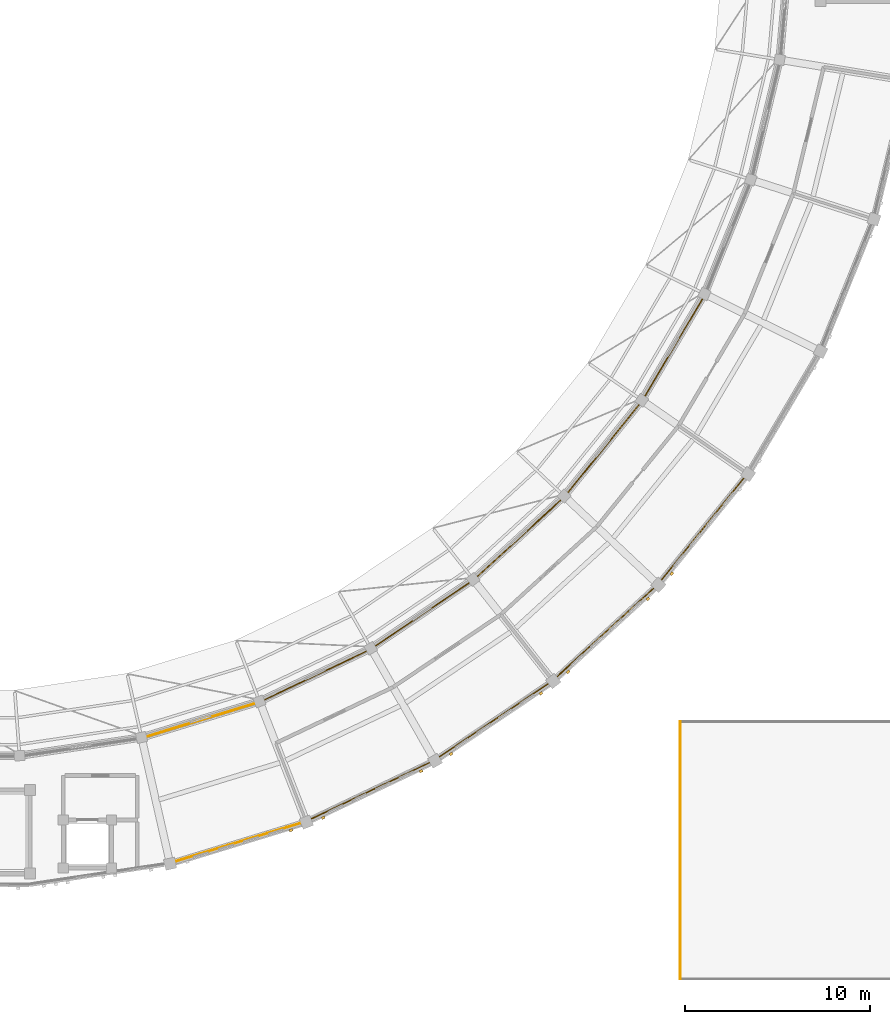
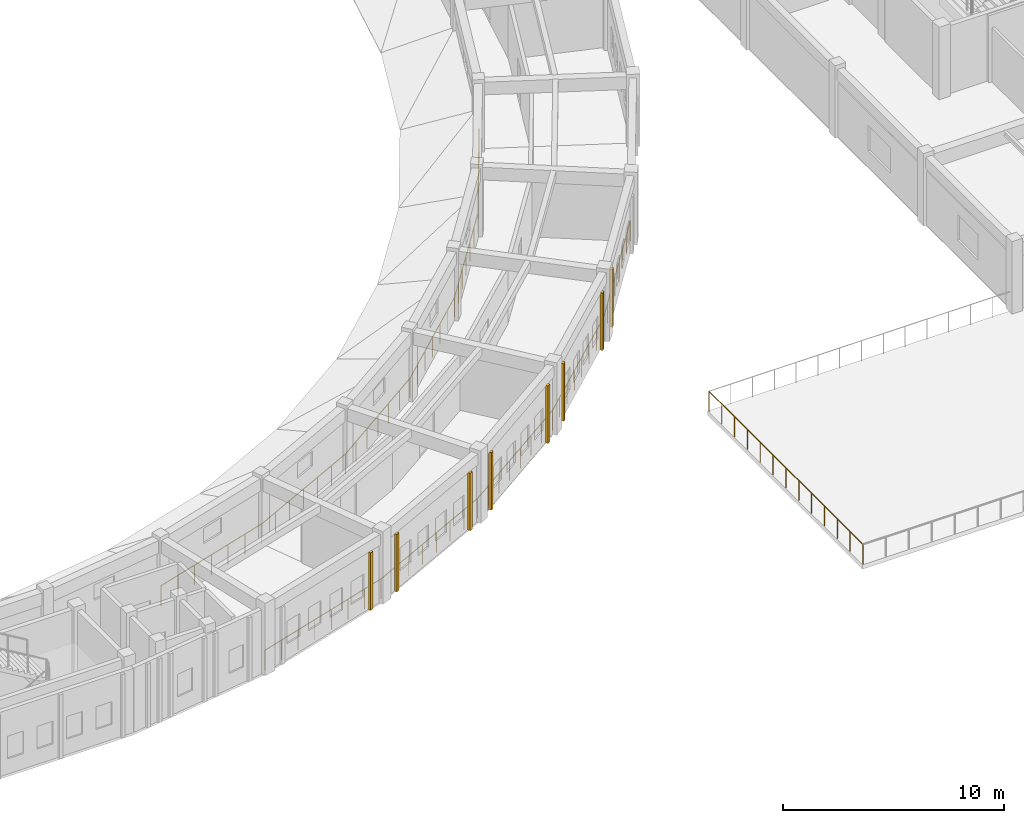
# One storey, part 101 of 112: 12 railings, 8 coverings.
"""IFC4 building model written with IfcOpenShell, lengths in metres."""

from ifc_helpers import new_model, si_unit, direction, frame, origin, origin_2d, place, context, subcontext, project, spatial, rectangle, circle, extrude, material, layer, layer_set, type_object, element, save


model = new_model("IFC4")

# Units and contexts
model_context = context("Model", 3, precision=1e-05, world=origin(), true_north=direction((0.0, 1.0)))
body_context = subcontext(model_context, "Body", "Model", "MODEL_VIEW")
ifc_project = project(units=[si_unit("LENGTHUNIT", "METRE"), si_unit("AREAUNIT", "SQUARE_METRE"), si_unit("VOLUMEUNIT", "CUBIC_METRE"), si_unit("PLANEANGLEUNIT", "RADIAN"), si_unit("MASSUNIT", "GRAM", prefix="KILO")], contexts=[model_context])

# Site, building, storey
site_placement = place(None, origin())
site = spatial("IfcSite", under=ifc_project, at=site_placement, CompositionType="ELEMENT")
building_placement = place(site_placement, origin())
building = spatial("IfcBuilding", under=site, at=building_placement, Name="Celadon Cloister-Ring School", CompositionType="ELEMENT")
storey_placement = place(building_placement, frame((0.0, 0.0, 8.5)))
storey = spatial("IfcBuildingStorey", under=building, at=storey_placement, Name="L02", CompositionType="ELEMENT", Elevation=8.5)

# Coverings
ifc_material_1 = material(Name="Perforated terracotta clay brick masonry", Category="masonry")
ifc_layer = layer(ifc_material_1, 0.139892578125)
ifc_layer_set = layer_set([ifc_layer], Name="Perforated terracotta clay brick masonry")
covering_type = type_object("IfcCoveringType", Name="CV-SC1", PredefinedType="CLADDING", material=ifc_layer_set)
for number, where, z_axis, x_axis, name in (
    (1, (105.00390625, 10.092041015625, 0.0), (0.0, 0.0, 1.0), (-0.956371068383, -0.292154718533, 0.0), "Brick Screen Rib 0283"),
    (2, (112.031982421875, 13.2880859375, 0.0), (0.0, 0.0, 1.0), (-0.902682940986, -0.430306295624, 0.0), "Brick Screen Rib 0285"),
    (3, (106.7509765625, 10.77099609375, 0.0), (0.0, 0.0, 1.0), (-0.902682940986, -0.430306295624, 0.0), "Brick Screen Rib 0286"),
    (4, (118.510009765625, 17.488037109375, 0.0), (0.0, 0.0, 1.0), (-0.829213207273, -0.558932426045, 0.0), "Brick Screen Rib 0287"),
    (5, (113.658935546875, 14.218017578125, 0.0), (0.0, 0.0, 1.0), (-0.829213207273, -0.558932426045, 0.0), "Brick Screen Rib 0288"),
    (6, (124.298095703125, 22.59912109375, 0.0), (0.0, 0.0, 1.0), (-0.73754847669, -0.675294191099, 0.0), "Brick Screen Rib 0289"),
    (7, (119.98291015625, 18.64892578125, 0.0), (0.0, 0.0, 1.0), (-0.73754847669, -0.675294191099, 0.0), "Brick Screen Rib 0290"),
    (8, (125.5830078125, 23.965087890625, 0.0), (0.0, 0.0, 1.0), (-0.629605187645, -0.776915251292, 0.0), "Brick Screen Rib 0292"),
):
    element("IfcCovering", number, at=place(storey_placement, frame(where, z_axis=z_axis, x_axis=x_axis)), inside=storey, type_object=covering_type, Name=name, PredefinedType="CLADDING", context=body_context, shape_type="SweptSolid", body=[
        extrude(rectangle(XDim=0.179931640625, YDim=0.139892578125, at=origin_2d()), origin(), (0.0, 0.0, 1.0), 3.172119140625),
    ])

# Railings
ifc_material_2 = material(Name="Structural steel S355JR", Category="steel")
railing_type = type_object("IfcRailingType", Name="RL-BL1", PredefinedType="BALUSTRADE", material=ifc_material_2)
railing_1_placement = place(storey_placement, frame((98.4619140625, 8.320068359375, 0.0)))
element("IfcRailing", 9, at=railing_1_placement, inside=storey, type_object=railing_type, Name="Terrace Balustrade 0092", PredefinedType="BALUSTRADE", context=body_context, shape_type="SweptSolid", body=[
    extrude(circle(Radius=0.02392578125, at=origin_2d()), frame((0.0, 0.0, 1.09619140625), z_axis=(0.95633408974, 0.29227574104, 0.0), x_axis=(-0.29227574104, 0.95633408974, 0.0)), (0.0, 0.0, 1.0), 7.6982421875),
    extrude(circle(Radius=0.02099609375, at=origin_2d()), origin(), (0.0, 0.0, 1.0), 1.072021484375),
    extrude(circle(Radius=0.02099609375, at=origin_2d()), frame((1.0517578125, 0.321533203125, 0.0)), (0.0, 0.0, 1.0), 1.072021484375),
    extrude(circle(Radius=0.02099609375, at=origin_2d()), frame((2.103515625, 0.642822265625, 0.0)), (0.0, 0.0, 1.0), 1.072021484375),
    extrude(circle(Radius=0.02099609375, at=origin_2d()), frame((3.1552734375, 0.96435546875, 0.0)), (0.0, 0.0, 1.0), 1.072021484375),
    extrude(circle(Radius=0.02099609375, at=origin_2d()), frame((4.206787109375, 1.28564453125, 0.0)), (0.0, 0.0, 1.0), 1.072021484375),
    extrude(circle(Radius=0.02099609375, at=origin_2d()), frame((5.258544921875, 1.607177734375, 0.0)), (0.0, 0.0, 1.0), 1.072021484375),
    extrude(circle(Radius=0.02099609375, at=origin_2d()), frame((6.310302734375, 1.928466796875, 0.0)), (0.0, 0.0, 1.0), 1.072021484375),
    extrude(circle(Radius=0.02099609375, at=origin_2d()), frame((7.362060546875, 2.25, 0.0)), (0.0, 0.0, 1.0), 1.072021484375),
])
railing_2_placement = place(storey_placement, frame((105.823974609375, 10.570068359375, 0.0)))
element("IfcRailing", 10, at=railing_2_placement, inside=storey, type_object=railing_type, Name="Terrace Balustrade 0093", PredefinedType="BALUSTRADE", context=body_context, shape_type="SweptSolid", body=[
    extrude(circle(Radius=0.02392578125, at=origin_2d()), frame((0.0, 0.0, 1.09619140625), z_axis=(0.902686900331, 0.430297989736, 0.0), x_axis=(-0.430297989736, 0.902686900331, 0.0)), (0.0, 0.0, 1.0), 7.697021484375),
    extrude(circle(Radius=0.02099609375, at=origin_2d()), origin(), (0.0, 0.0, 1.0), 1.072021484375),
    extrude(circle(Radius=0.02099609375, at=origin_2d()), frame((0.99267578125, 0.47314453125, 0.0)), (0.0, 0.0, 1.0), 1.072021484375),
    extrude(circle(Radius=0.02099609375, at=origin_2d()), frame((1.985107421875, 0.9462890625, 0.0)), (0.0, 0.0, 1.0), 1.072021484375),
    extrude(circle(Radius=0.02099609375, at=origin_2d()), frame((2.977783203125, 1.41943359375, 0.0)), (0.0, 0.0, 1.0), 1.072021484375),
    extrude(circle(Radius=0.02099609375, at=origin_2d()), frame((3.97021484375, 1.892578125, 0.0)), (0.0, 0.0, 1.0), 1.072021484375),
    extrude(circle(Radius=0.02099609375, at=origin_2d()), frame((4.962890625, 2.36572265625, 0.0)), (0.0, 0.0, 1.0), 1.072021484375),
    extrude(circle(Radius=0.02099609375, at=origin_2d()), frame((5.955322265625, 2.8388671875, 0.0)), (0.0, 0.0, 1.0), 1.072021484375),
    extrude(circle(Radius=0.02099609375, at=origin_2d()), frame((6.947998046875, 3.31201171875, 0.0)), (0.0, 0.0, 1.0), 1.072021484375),
])
railing_3_placement = place(storey_placement, frame((112.77197265625, 13.882080078125, 0.0)))
element("IfcRailing", 11, at=railing_3_placement, inside=storey, type_object=railing_type, Name="Terrace Balustrade 0094", PredefinedType="BALUSTRADE", context=body_context, shape_type="SweptSolid", body=[
    extrude(circle(Radius=0.02392578125, at=origin_2d()), frame((0.0, 0.0, 1.09619140625), z_axis=(0.829184941382, 0.558974358075, 0.0), x_axis=(-0.558974358075, 0.829184941382, 0.0)), (0.0, 0.0, 1.0), 7.697998046875),
    extrude(circle(Radius=0.02099609375, at=origin_2d()), origin(), (0.0, 0.0, 1.0), 1.072021484375),
    extrude(circle(Radius=0.02099609375, at=origin_2d()), frame((0.911865234375, 0.61474609375, 0.0)), (0.0, 0.0, 1.0), 1.072021484375),
    extrude(circle(Radius=0.02099609375, at=origin_2d()), frame((1.82373046875, 1.2294921875, 0.0)), (0.0, 0.0, 1.0), 1.072021484375),
    extrude(circle(Radius=0.02099609375, at=origin_2d()), frame((2.735595703125, 1.84423828125, 0.0)), (0.0, 0.0, 1.0), 1.072021484375),
    extrude(circle(Radius=0.02099609375, at=origin_2d()), frame((3.6474609375, 2.458740234375, 0.0)), (0.0, 0.0, 1.0), 1.072021484375),
    extrude(circle(Radius=0.02099609375, at=origin_2d()), frame((4.559326171875, 3.073486328125, 0.0)), (0.0, 0.0, 1.0), 1.072021484375),
    extrude(circle(Radius=0.02099609375, at=origin_2d()), frame((5.47119140625, 3.688232421875, 0.0)), (0.0, 0.0, 1.0), 1.072021484375),
    extrude(circle(Radius=0.02099609375, at=origin_2d()), frame((6.383056640625, 4.302978515625, 0.0)), (0.0, 0.0, 1.0), 1.072021484375),
])
railing_4_placement = place(storey_placement, frame((119.155029296875, 18.18505859375, 0.0)))
element("IfcRailing", 12, at=railing_4_placement, inside=storey, type_object=railing_type, Name="Terrace Balustrade 0095", PredefinedType="BALUSTRADE", context=body_context, shape_type="SweptSolid", body=[
    extrude(circle(Radius=0.02392578125, at=origin_2d()), frame((0.0, 0.0, 1.09619140625), z_axis=(0.737537150433, 0.675306561298, 0.0), x_axis=(-0.675306561298, 0.737537150433, 0.0)), (0.0, 0.0, 1.0), 7.697265625),
    extrude(circle(Radius=0.02099609375, at=origin_2d()), origin(), (0.0, 0.0, 1.0), 1.072021484375),
    extrude(circle(Radius=0.02099609375, at=origin_2d()), frame((0.81103515625, 0.74267578125, 0.0)), (0.0, 0.0, 1.0), 1.072021484375),
    extrude(circle(Radius=0.02099609375, at=origin_2d()), frame((1.6220703125, 1.485107421875, 0.0)), (0.0, 0.0, 1.0), 1.072021484375),
    extrude(circle(Radius=0.02099609375, at=origin_2d()), frame((2.43310546875, 2.227783203125, 0.0)), (0.0, 0.0, 1.0), 1.072021484375),
    extrude(circle(Radius=0.02099609375, at=origin_2d()), frame((3.243896484375, 2.97021484375, 0.0)), (0.0, 0.0, 1.0), 1.072021484375),
    extrude(circle(Radius=0.02099609375, at=origin_2d()), frame((4.054931640625, 3.712890625, 0.0)), (0.0, 0.0, 1.0), 1.072021484375),
    extrude(circle(Radius=0.02099609375, at=origin_2d()), frame((4.865966796875, 4.455322265625, 0.0)), (0.0, 0.0, 1.0), 1.072021484375),
    extrude(circle(Radius=0.02099609375, at=origin_2d()), frame((5.677001953125, 5.197998046875, 0.0)), (0.0, 0.0, 1.0), 1.072021484375),
])
railing_5_placement = place(storey_placement, frame((124.83203125, 23.383056640625, 0.0)))
element("IfcRailing", 13, at=railing_5_placement, inside=storey, type_object=railing_type, Name="Terrace Balustrade 0096", PredefinedType="BALUSTRADE", context=body_context, shape_type="SweptSolid", body=[
    extrude(circle(Radius=0.02392578125, at=origin_2d()), frame((0.0, 0.0, 1.09619140625), z_axis=(0.629605941512, 0.776914640365, 0.0), x_axis=(-0.776914640365, 0.629605941512, 0.0)), (0.0, 0.0, 1.0), 7.6982421875),
    extrude(circle(Radius=0.02099609375, at=origin_2d()), origin(), (0.0, 0.0, 1.0), 1.072021484375),
    extrude(circle(Radius=0.02099609375, at=origin_2d()), frame((0.6923828125, 0.8544921875, 0.0)), (0.0, 0.0, 1.0), 1.072021484375),
    extrude(circle(Radius=0.02099609375, at=origin_2d()), frame((1.384765625, 1.708740234375, 0.0)), (0.0, 0.0, 1.0), 1.072021484375),
    extrude(circle(Radius=0.02099609375, at=origin_2d()), frame((2.0771484375, 2.563232421875, 0.0)), (0.0, 0.0, 1.0), 1.072021484375),
    extrude(circle(Radius=0.02099609375, at=origin_2d()), frame((2.769775390625, 3.417724609375, 0.0)), (0.0, 0.0, 1.0), 1.072021484375),
    extrude(circle(Radius=0.02099609375, at=origin_2d()), frame((3.462158203125, 4.272216796875, 0.0)), (0.0, 0.0, 1.0), 1.072021484375),
    extrude(circle(Radius=0.02099609375, at=origin_2d()), frame((4.154541015625, 5.12646484375, 0.0)), (0.0, 0.0, 1.0), 1.072021484375),
    extrude(circle(Radius=0.02099609375, at=origin_2d()), frame((4.846923828125, 5.98095703125, 0.0)), (0.0, 0.0, 1.0), 1.072021484375),
])
railing_6_placement = place(storey_placement, frame((96.93603515625, 15.070068359375, 0.0)))
element("IfcRailing", 14, at=railing_6_placement, inside=storey, type_object=railing_type, Name="Terrace Balustrade 0127", PredefinedType="BALUSTRADE", context=body_context, shape_type="SweptSolid", body=[
    extrude(circle(Radius=0.02392578125, at=origin_2d()), frame((0.0, 0.0, 1.09619140625), z_axis=(0.956341344622, 0.292252001817, 0.0), x_axis=(-0.292252001817, 0.956341344622, 0.0)), (0.0, 0.0, 1.0), 6.672119140625),
    extrude(circle(Radius=0.02099609375, at=origin_2d()), origin(), (0.0, 0.0, 1.0), 1.072021484375),
    extrude(circle(Radius=0.02099609375, at=origin_2d()), frame((1.0634765625, 0.324951171875, 0.0)), (0.0, 0.0, 1.0), 1.072021484375),
    extrude(circle(Radius=0.02099609375, at=origin_2d()), frame((2.126953125, 0.64990234375, 0.0)), (0.0, 0.0, 1.0), 1.072021484375),
    extrude(circle(Radius=0.02099609375, at=origin_2d()), frame((3.1904296875, 0.97509765625, 0.0)), (0.0, 0.0, 1.0), 1.072021484375),
    extrude(circle(Radius=0.02099609375, at=origin_2d()), frame((4.25390625, 1.300048828125, 0.0)), (0.0, 0.0, 1.0), 1.072021484375),
    extrude(circle(Radius=0.02099609375, at=origin_2d()), frame((5.3173828125, 1.625, 0.0)), (0.0, 0.0, 1.0), 1.072021484375),
    extrude(circle(Radius=0.02099609375, at=origin_2d()), frame((6.380859375, 1.949951171875, 0.0)), (0.0, 0.0, 1.0), 1.072021484375),
])
railing_7_placement = place(storey_placement, frame((103.31689453125, 17.02001953125, 0.0)))
element("IfcRailing", 15, at=railing_7_placement, inside=storey, type_object=railing_type, Name="Terrace Balustrade 0128", PredefinedType="BALUSTRADE", context=body_context, shape_type="SweptSolid", body=[
    extrude(circle(Radius=0.02392578125, at=origin_2d()), frame((0.0, 0.0, 1.09619140625), z_axis=(0.90269136782, 0.430288617631, 0.0), x_axis=(-0.430288617631, 0.90269136782, 0.0)), (0.0, 0.0, 1.0), 6.67236328125),
    extrude(circle(Radius=0.02099609375, at=origin_2d()), origin(), (0.0, 0.0, 1.0), 1.072021484375),
    extrude(circle(Radius=0.02099609375, at=origin_2d()), frame((1.00390625, 0.478515625, 0.0)), (0.0, 0.0, 1.0), 1.072021484375),
    extrude(circle(Radius=0.02099609375, at=origin_2d()), frame((2.0078125, 0.95703125, 0.0)), (0.0, 0.0, 1.0), 1.072021484375),
    extrude(circle(Radius=0.02099609375, at=origin_2d()), frame((3.01171875, 1.435546875, 0.0)), (0.0, 0.0, 1.0), 1.072021484375),
    extrude(circle(Radius=0.02099609375, at=origin_2d()), frame((4.015380859375, 1.9140625, 0.0)), (0.0, 0.0, 1.0), 1.072021484375),
    extrude(circle(Radius=0.02099609375, at=origin_2d()), frame((5.019287109375, 2.392578125, 0.0)), (0.0, 0.0, 1.0), 1.072021484375),
    extrude(circle(Radius=0.02099609375, at=origin_2d()), frame((6.023193359375, 2.87109375, 0.0)), (0.0, 0.0, 1.0), 1.072021484375),
])
railing_8_placement = place(storey_placement, frame((109.340087890625, 19.89111328125, 0.0)))
element("IfcRailing", 16, at=railing_8_placement, inside=storey, type_object=railing_type, Name="Terrace Balustrade 0129", PredefinedType="BALUSTRADE", context=body_context, shape_type="SweptSolid", body=[
    extrude(circle(Radius=0.02392578125, at=origin_2d()), frame((0.0, 0.0, 1.09619140625), z_axis=(0.829179794599, 0.558981992759, 0.0), x_axis=(-0.558981992759, 0.829179794599, 0.0)), (0.0, 0.0, 1.0), 6.6728515625),
    extrude(circle(Radius=0.02099609375, at=origin_2d()), origin(), (0.0, 0.0, 1.0), 1.072021484375),
    extrude(circle(Radius=0.02099609375, at=origin_2d()), frame((0.922119140625, 0.62158203125, 0.0)), (0.0, 0.0, 1.0), 1.072021484375),
    extrude(circle(Radius=0.02099609375, at=origin_2d()), frame((1.84423828125, 1.243408203125, 0.0)), (0.0, 0.0, 1.0), 1.072021484375),
    extrude(circle(Radius=0.02099609375, at=origin_2d()), frame((2.7666015625, 1.864990234375, 0.0)), (0.0, 0.0, 1.0), 1.072021484375),
    extrude(circle(Radius=0.02099609375, at=origin_2d()), frame((3.688720703125, 2.486572265625, 0.0)), (0.0, 0.0, 1.0), 1.072021484375),
    extrude(circle(Radius=0.02099609375, at=origin_2d()), frame((4.61083984375, 3.1083984375, 0.0)), (0.0, 0.0, 1.0), 1.072021484375),
    extrude(circle(Radius=0.02099609375, at=origin_2d()), frame((5.532958984375, 3.72998046875, 0.0)), (0.0, 0.0, 1.0), 1.072021484375),
])
railing_9_placement = place(storey_placement, frame((114.873046875, 23.62109375, 0.0)))
element("IfcRailing", 17, at=railing_9_placement, inside=storey, type_object=railing_type, Name="Terrace Balustrade 0130", PredefinedType="BALUSTRADE", context=body_context, shape_type="SweptSolid", body=[
    extrude(circle(Radius=0.02392578125, at=origin_2d()), frame((0.0, 0.0, 1.09619140625), z_axis=(0.737524632236, 0.675320232812, 0.0), x_axis=(-0.675320232812, 0.737524632236, 0.0)), (0.0, 0.0, 1.0), 6.672119140625),
    extrude(circle(Radius=0.02099609375, at=origin_2d()), origin(), (0.0, 0.0, 1.0), 1.072021484375),
    extrude(circle(Radius=0.02099609375, at=origin_2d()), frame((0.820068359375, 0.7509765625, 0.0)), (0.0, 0.0, 1.0), 1.072021484375),
    extrude(circle(Radius=0.02099609375, at=origin_2d()), frame((1.640380859375, 1.501953125, 0.0)), (0.0, 0.0, 1.0), 1.072021484375),
    extrude(circle(Radius=0.02099609375, at=origin_2d()), frame((2.46044921875, 2.2529296875, 0.0)), (0.0, 0.0, 1.0), 1.072021484375),
    extrude(circle(Radius=0.02099609375, at=origin_2d()), frame((3.280517578125, 3.00390625, 0.0)), (0.0, 0.0, 1.0), 1.072021484375),
    extrude(circle(Radius=0.02099609375, at=origin_2d()), frame((4.100830078125, 3.7548828125, 0.0)), (0.0, 0.0, 1.0), 1.072021484375),
    extrude(circle(Radius=0.02099609375, at=origin_2d()), frame((4.9208984375, 4.505859375, 0.0)), (0.0, 0.0, 1.0), 1.072021484375),
])
railing_10_placement = place(storey_placement, frame((119.7939453125, 28.126953125, 0.0)))
element("IfcRailing", 18, at=railing_10_placement, inside=storey, type_object=railing_type, Name="Terrace Balustrade 0131", PredefinedType="BALUSTRADE", context=body_context, shape_type="SweptSolid", body=[
    extrude(circle(Radius=0.02392578125, at=origin_2d()), frame((0.0, 0.0, 1.09619140625), z_axis=(0.629608629722, 0.776912461851, 0.0), x_axis=(-0.776912461851, 0.629608629722, 0.0)), (0.0, 0.0, 1.0), 6.672607421875),
    extrude(circle(Radius=0.02099609375, at=origin_2d()), origin(), (0.0, 0.0, 1.0), 1.072021484375),
    extrude(circle(Radius=0.02099609375, at=origin_2d()), frame((0.7001953125, 0.864013671875, 0.0)), (0.0, 0.0, 1.0), 1.072021484375),
    extrude(circle(Radius=0.02099609375, at=origin_2d()), frame((1.400390625, 1.72802734375, 0.0)), (0.0, 0.0, 1.0), 1.072021484375),
    extrude(circle(Radius=0.02099609375, at=origin_2d()), frame((2.1005859375, 2.592041015625, 0.0)), (0.0, 0.0, 1.0), 1.072021484375),
    extrude(circle(Radius=0.02099609375, at=origin_2d()), frame((2.80078125, 3.4560546875, 0.0)), (0.0, 0.0, 1.0), 1.072021484375),
    extrude(circle(Radius=0.02099609375, at=origin_2d()), frame((3.5009765625, 4.320068359375, 0.0)), (0.0, 0.0, 1.0), 1.072021484375),
    extrude(circle(Radius=0.02099609375, at=origin_2d()), frame((4.201171875, 5.18408203125, 0.0)), (0.0, 0.0, 1.0), 1.072021484375),
])
railing_11_placement = place(storey_placement, frame((123.9951171875, 33.31103515625, 0.0)))
element("IfcRailing", 19, at=railing_11_placement, inside=storey, type_object=railing_type, Name="Terrace Balustrade 0132", PredefinedType="BALUSTRADE", context=body_context, shape_type="SweptSolid", body=[
    extrude(circle(Radius=0.02392578125, at=origin_2d()), frame((0.0, 0.0, 1.09619140625), z_axis=(0.508051148049, 0.861326901337, 0.0), x_axis=(-0.861326901337, 0.508051148049, 0.0)), (0.0, 0.0, 1.0), 6.67236328125),
    extrude(circle(Radius=0.02099609375, at=origin_2d()), origin(), (0.0, 0.0, 1.0), 1.072021484375),
    extrude(circle(Radius=0.02099609375, at=origin_2d()), frame((0.56494140625, 0.957763671875, 0.0)), (0.0, 0.0, 1.0), 1.072021484375),
    extrude(circle(Radius=0.02099609375, at=origin_2d()), frame((1.1298828125, 1.915771484375, 0.0)), (0.0, 0.0, 1.0), 1.072021484375),
    extrude(circle(Radius=0.02099609375, at=origin_2d()), frame((1.69482421875, 2.87353515625, 0.0)), (0.0, 0.0, 1.0), 1.072021484375),
    extrude(circle(Radius=0.02099609375, at=origin_2d()), frame((2.260009765625, 3.831298828125, 0.0)), (0.0, 0.0, 1.0), 1.072021484375),
    extrude(circle(Radius=0.02099609375, at=origin_2d()), frame((2.824951171875, 4.789306640625, 0.0)), (0.0, 0.0, 1.0), 1.072021484375),
    extrude(circle(Radius=0.02099609375, at=origin_2d()), frame((3.389892578125, 5.7470703125, 0.0)), (0.0, 0.0, 1.0), 1.072021484375),
])
railing_12_placement = place(storey_placement, frame((126.0400390625, 15.9599609375, 0.0)))
element("IfcRailing", 20, at=railing_12_placement, inside=storey, type_object=railing_type, Name="Terrace Balustrade 0428", PredefinedType="BALUSTRADE", context=body_context, shape_type="SweptSolid", body=[
    extrude(circle(Radius=0.02392578125, at=origin_2d()), frame((0.0, 0.0, 1.09619140625), z_axis=(0.0, -1.0, 0.0), x_axis=(1.0, 0.0, 0.0)), (0.0, 0.0, 1.0), 13.919921875),
    extrude(circle(Radius=0.02099609375, at=origin_2d()), origin(), (0.0, 0.0, 1.0), 1.072021484375),
    extrude(circle(Radius=0.02099609375, at=origin_2d()), frame((0.0, -1.159912109375, 0.0)), (0.0, 0.0, 1.0), 1.072021484375),
    extrude(circle(Radius=0.02099609375, at=origin_2d()), frame((0.0, -2.320068359375, 0.0)), (0.0, 0.0, 1.0), 1.072021484375),
    extrude(circle(Radius=0.02099609375, at=origin_2d()), frame((0.0, -3.47998046875, 0.0)), (0.0, 0.0, 1.0), 1.072021484375),
    extrude(circle(Radius=0.02099609375, at=origin_2d()), frame((0.0, -4.639892578125, 0.0)), (0.0, 0.0, 1.0), 1.072021484375),
    extrude(circle(Radius=0.02099609375, at=origin_2d()), frame((0.0, -5.800048828125, 0.0)), (0.0, 0.0, 1.0), 1.072021484375),
    extrude(circle(Radius=0.02099609375, at=origin_2d()), frame((0.0, -6.9599609375, 0.0)), (0.0, 0.0, 1.0), 1.072021484375),
    extrude(circle(Radius=0.02099609375, at=origin_2d()), frame((0.0, -8.119873046875, 0.0)), (0.0, 0.0, 1.0), 1.072021484375),
    extrude(circle(Radius=0.02099609375, at=origin_2d()), frame((0.0, -9.280029296875, 0.0)), (0.0, 0.0, 1.0), 1.072021484375),
    extrude(circle(Radius=0.02099609375, at=origin_2d()), frame((0.0, -10.43994140625, 0.0)), (0.0, 0.0, 1.0), 1.072021484375),
    extrude(circle(Radius=0.02099609375, at=origin_2d()), frame((0.0, -11.599853515625, 0.0)), (0.0, 0.0, 1.0), 1.072021484375),
    extrude(circle(Radius=0.02099609375, at=origin_2d()), frame((0.0, -12.760009765625, 0.0)), (0.0, 0.0, 1.0), 1.072021484375),
    extrude(circle(Radius=0.02099609375, at=origin_2d()), frame((0.0, -13.919921875, 0.0)), (0.0, 0.0, 1.0), 1.072021484375),
])

save(model, "model.ifc")
